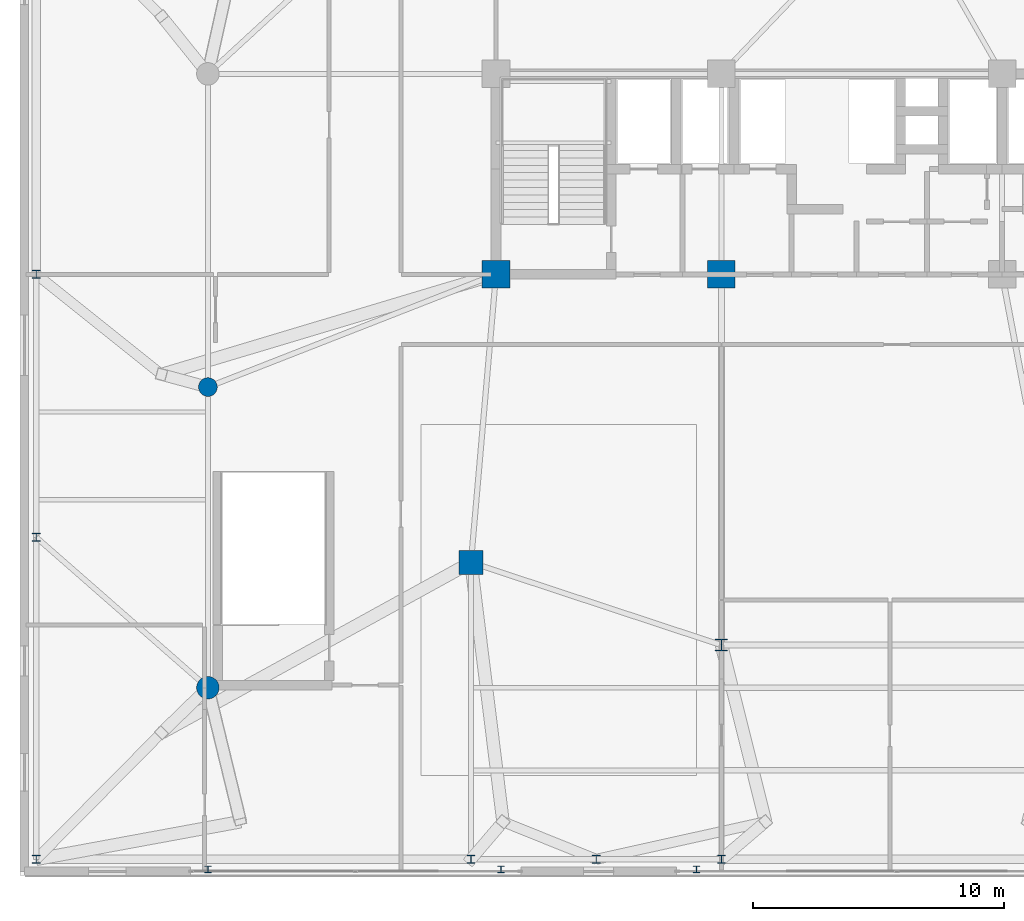
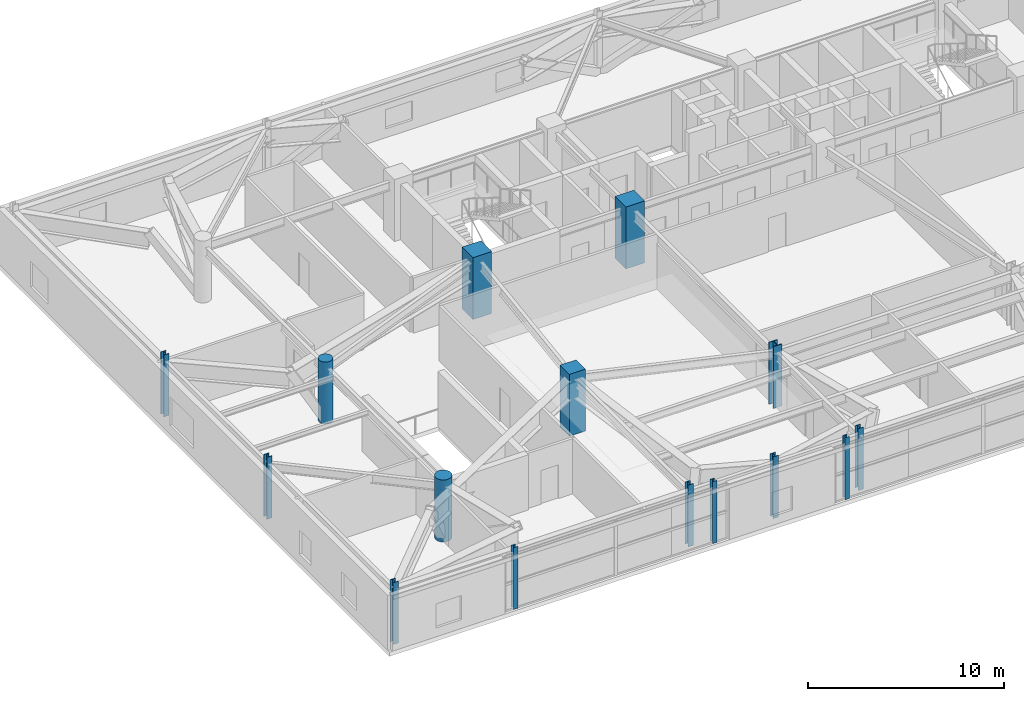
# One storey, part 1 of 27: 15 columns.
"""IFC4 building model written with IfcOpenShell, lengths in metres."""

import ifcopenshell
import ifcopenshell.guid

model = None  # the IFC model being written
_history = None  # IfcOwnerHistory: only IFC2X3 demands one
_inside = {}  # id of a spatial element -> (the spatial element, [elements in it])
_under = {}  # id of a project, library or spatial element -> (it, [spatial elements below it])
_declared = {}  # id of a project -> (the project, [libraries it declares])
_typed = {}  # id of a type object -> (the type object, [elements of that type])
_made_of = {}  # id of a material, layer set ... -> (it, [elements and type objects made of it])


def new_model(schema):
    """Start an empty IFC model of exactly this schema.

    Asked for "IFC4X3", IfcOpenShell would pick the latest addendum, in which some entities
    have other attributes; the version numbers below select the first issue.
    IFC2X3 requires an IfcOwnerHistory on every rooted entity: one is made here for all.
    """
    global model, _history
    if schema == "IFC4X3":
        model = ifcopenshell.file(schema_version=(4, 3, 0, 0))
    else:
        model = ifcopenshell.file(schema=schema)
    _inside.clear()
    _under.clear()
    _declared.clear()
    _typed.clear()
    _made_of.clear()
    _history = None
    if model.schema == "IFC2X3":
        org = make("IfcOrganization", Name="unknown")
        user = make(
            "IfcPersonAndOrganization",
            ThePerson=make("IfcPerson", FamilyName="unknown"),
            TheOrganization=org,
        )
        app = make(
            "IfcApplication",
            ApplicationDeveloper=org,
            Version="unknown",
            ApplicationFullName="unknown",
            ApplicationIdentifier="unknown",
        )
        _history = make(
            "IfcOwnerHistory",
            OwningUser=user,
            OwningApplication=app,
            ChangeAction="ADDED",
            CreationDate=0,
        )
    return model


def make(cls, **values):
    """One entity of the class cls with the attributes given. An attribute that is None is left unset."""
    return model.create_entity(
        cls, **{name: value for name, value in values.items() if value is not None}
    )


def rooted(cls, **values):
    """An entity with a GlobalId (a new one), such as an element, a storey or a relation."""
    return make(cls, GlobalId=ifcopenshell.guid.new(), OwnerHistory=_history, **values)


def si_unit(unit_type, name, prefix=None):
    """IfcSIUnit, for example si_unit("LENGTHUNIT", "METRE", prefix="MILLI")."""
    return make("IfcSIUnit", UnitType=unit_type, Prefix=prefix, Name=name)


def assignment(units):
    """IfcUnitAssignment: the units of a project."""
    return None if units is None else make("IfcUnitAssignment", Units=units)


def point(xyz):
    """IfcCartesianPoint."""
    return None if xyz is None else make("IfcCartesianPoint", Coordinates=xyz)


def direction(xyz):
    """IfcDirection."""
    return None if xyz is None else make("IfcDirection", DirectionRatios=xyz)


def frame(location, z_axis=None, x_axis=None):
    """IfcAxis2Placement3D, a coordinate frame: its origin and axes. An axis left out is left unset."""
    return make(
        "IfcAxis2Placement3D",
        Location=point(location),
        Axis=direction(z_axis),
        RefDirection=direction(x_axis),
    )


def frame_2d(location, x_axis=None):
    """IfcAxis2Placement2D, a coordinate frame in the plane: its origin and x axis."""
    return make(
        "IfcAxis2Placement2D", Location=point(location), RefDirection=direction(x_axis)
    )


def origin():
    """The frame at (0, 0, 0) with its axes left unset."""
    return frame((0.0, 0.0, 0.0))


def origin_2d():
    """The frame at (0, 0) in the plane with its x axis left unset."""
    return frame_2d((0.0, 0.0))


def place(relative_to, where):
    """IfcLocalPlacement: puts the frame where relative to a parent placement (None: the world)."""
    return make(
        "IfcLocalPlacement", PlacementRelTo=relative_to, RelativePlacement=where
    )


def context(
    kind, dimensions, precision=None, world=None, true_north=None, identifier=None
):
    """IfcGeometricRepresentationContext, for example the 3D "Model" context."""
    return make(
        "IfcGeometricRepresentationContext",
        ContextIdentifier=identifier,
        ContextType=kind,
        CoordinateSpaceDimension=dimensions,
        Precision=precision,
        WorldCoordinateSystem=world,
        TrueNorth=true_north,
    )


def subcontext(parent, identifier, kind, view, scale=None):
    """IfcGeometricRepresentationSubContext, for example "Body" below "Model"."""
    return make(
        "IfcGeometricRepresentationSubContext",
        ContextIdentifier=identifier,
        ContextType=kind,
        ParentContext=parent,
        TargetScale=scale,
        TargetView=view,
    )


def project(units=None, contexts=None):
    """IfcProject with its units and contexts."""
    return rooted(
        "IfcProject",
        Name="project",
        RepresentationContexts=contexts,
        UnitsInContext=assignment(units),
    )


def spatial(cls, under=None, at=None, **own):
    """A site, building, storey or space (cls), placed at a placement, below another one or the project."""
    s = rooted(cls, ObjectPlacement=at, **own)
    if under is not None:
        _under.setdefault(under.id(), (under, []))[1].append(s)
    return s


def profile(cls, at=None, kind="AREA", **sizes):
    """A parametric profile (cls). Its sizes go by their IFC names, for example OverallWidth=200.0."""
    return make(cls, ProfileType=kind, Position=at, **sizes)


def rectangle(**sizes):
    """IfcRectangleProfileDef."""
    return profile("IfcRectangleProfileDef", **sizes)


def circle(**sizes):
    """IfcCircleProfileDef."""
    return profile("IfcCircleProfileDef", **sizes)


def i_section(**sizes):
    """IfcIShapeProfileDef."""
    return profile("IfcIShapeProfileDef", **sizes)


def extrude(swept, where, along, depth):
    """IfcExtrudedAreaSolid: the profile swept, set in the frame where, extruded along a direction by depth."""
    return make(
        "IfcExtrudedAreaSolid",
        SweptArea=swept,
        Position=where,
        ExtrudedDirection=direction(along),
        Depth=depth,
    )


def shape(context_of_items, identifier, shape_type, items):
    """IfcShapeRepresentation: the items that make up one representation, for example the "Body"."""
    return make(
        "IfcShapeRepresentation",
        ContextOfItems=context_of_items,
        RepresentationIdentifier=identifier,
        RepresentationType=shape_type,
        Items=items,
    )


def source(mapping_origin, context_of_items, identifier, shape_type, items):
    """IfcRepresentationMap: a shape defined once, which mapped items show again and again."""
    return make(
        "IfcRepresentationMap",
        MappingOrigin=mapping_origin,
        MappedRepresentation=shape(context_of_items, identifier, shape_type, items),
    )


def transform(
    local_origin,
    x_axis=None,
    y_axis=None,
    z_axis=None,
    scale=None,
    scale2=None,
    scale3=None,
    uniform=True,
):
    """IfcCartesianTransformationOperator3D, or its non-uniform kind. x_axis, y_axis, z_axis: its Axis1, 2, 3."""
    if uniform:
        return make(
            "IfcCartesianTransformationOperator3D",
            Axis1=direction(x_axis),
            Axis2=direction(y_axis),
            LocalOrigin=point(local_origin),
            Scale=scale,
            Axis3=direction(z_axis),
        )
    return make(
        "IfcCartesianTransformationOperator3DnonUniform",
        Axis1=direction(x_axis),
        Axis2=direction(y_axis),
        LocalOrigin=point(local_origin),
        Scale=scale,
        Axis3=direction(z_axis),
        Scale2=scale2,
        Scale3=scale3,
    )


def mapped(mapping_source, mapping_target):
    """IfcMappedItem: shows the shape of a source again, moved by a transform."""
    return make(
        "IfcMappedItem", MappingSource=mapping_source, MappingTarget=mapping_target
    )


def material(Name=None, Category=None):
    """IfcMaterial."""
    return make("IfcMaterial", Name=Name, Category=Category)


def material_profile(
    of_material, cross_section, Name=None, Category=None, Priority=None
):
    """IfcMaterialProfile: a cross section and its material."""
    return make(
        "IfcMaterialProfile",
        Name=Name,
        Material=of_material,
        Profile=cross_section,
        Priority=Priority,
        Category=Category,
    )


def profile_set(profiles, Name=None, composite=None):
    """IfcMaterialProfileSet."""
    return make(
        "IfcMaterialProfileSet",
        Name=Name,
        MaterialProfiles=profiles,
        CompositeProfile=composite,
    )


def made_of(thing, what):
    """Note that an element or type object is made of a material, layer set ...; save() writes the relation."""
    if what is not None:
        _made_of.setdefault(what.id(), (what, []))[1].append(thing)
    return thing


def type_object(cls, material=None, **own):
    """A type object (cls), such as IfcWallType, which elements share."""
    return made_of(rooted(cls, **own), material)


def element(
    cls,
    number,
    at=None,
    inside=None,
    cuts=None,
    type_object=None,
    material=None,
    context=None,
    identifier="Body",
    shape_type=None,
    held_by="IfcProductDefinitionShape",
    body=None,
    shapes=None,
    **own,
):
    """One element of the class cls, such as IfcWall. Its Tag is "e" and its number.

    at: its placement. inside: the storey or other place that contains it. cuts: it is an
    opening in that element (IfcRelVoidsElement). A single representation is given by context,
    identifier, shape_type and body (its items); several are given by shapes. held_by: the class
    of the entity that holds the representations. save() writes the other relations.
    """
    e = rooted(cls, Tag="e%d" % number, ObjectPlacement=at, **own)
    if body is not None:
        shapes = [shape(context, identifier, shape_type, body)]
    if shapes is not None:
        e.Representation = make(held_by, Representations=shapes)
    if inside is not None:
        _inside.setdefault(inside.id(), (inside, []))[1].append(e)
    if cuts is not None:
        rooted(
            "IfcRelVoidsElement", RelatingBuildingElement=cuts, RelatedOpeningElement=e
        )
    if type_object is not None:
        _typed.setdefault(type_object.id(), (type_object, []))[1].append(e)
    return made_of(e, material)


def aggregate(whole, parts):
    """IfcRelAggregates: a whole, such as a stair, and the parts it consists of."""
    return rooted("IfcRelAggregates", RelatingObject=whole, RelatedObjects=parts)


def save(model, path):
    """Write the relations noted so far, then the file.

    IfcRelAggregates (storeys below a building ...), IfcRelContainedInSpatialStructure (elements
    in a storey), IfcRelDefinesByType, IfcRelAssociatesMaterial and IfcRelDeclares: one each for
    every whole, place, type object, material and project.
    """
    for whole, parts in _under.values():
        aggregate(whole, parts)
    for where, things in _inside.values():
        rooted(
            "IfcRelContainedInSpatialStructure",
            RelatedElements=things,
            RelatingStructure=where,
        )
    for kind, things in _typed.values():
        rooted("IfcRelDefinesByType", RelatedObjects=things, RelatingType=kind)
    for what, things in _made_of.values():
        rooted("IfcRelAssociatesMaterial", RelatedObjects=things, RelatingMaterial=what)
    for by, libraries in _declared.values():
        rooted("IfcRelDeclares", RelatingContext=by, RelatedDefinitions=libraries)
    model.write(path)


model = new_model("IFC4")

# Units and contexts
model_context = context("Model", 3, precision=1e-05, world=origin(), true_north=direction((0.0, 1.0)))
body_context = subcontext(model_context, "Body", "Model", "MODEL_VIEW")
ifc_project = project(units=[si_unit("LENGTHUNIT", "METRE"), si_unit("AREAUNIT", "SQUARE_METRE"), si_unit("VOLUMEUNIT", "CUBIC_METRE"), si_unit("PLANEANGLEUNIT", "RADIAN"), si_unit("MASSUNIT", "GRAM", prefix="KILO")], contexts=[model_context])

# Site, building, storey
site_placement = place(None, origin())
site = spatial("IfcSite", under=ifc_project, at=site_placement, CompositionType="ELEMENT")
building_placement = place(site_placement, origin())
building = spatial("IfcBuilding", under=site, at=building_placement, Name="Taldren Reach Tower", CompositionType="ELEMENT")
storey_placement = place(building_placement, frame((0.0, 0.0, 12.949951171875)))
storey = spatial("IfcBuildingStorey", under=building, at=storey_placement, Name="L03", CompositionType="ELEMENT", Elevation=12.949951171875)

# Columns
ifc_material_1 = material(Name="Concrete S100 (100 MPa)", Category="concrete")
ifc_material_profile_1 = material_profile(ifc_material_1, rectangle(XDim=1.10009765625, YDim=1.10009765625, at=origin_2d()), Name="RC-1100x1100")
ifc_profile_set_1 = profile_set([ifc_material_profile_1], Name="Concrete S100 (100 MPa)")
column_type_1 = type_object("IfcColumnType", Name="COL-RC1100", PredefinedType="COLUMN", material=ifc_profile_set_1)
shared_shape_1 = source(origin(), body_context, "Body", "SweptSolid", [
    extrude(rectangle(XDim=1.10009765625, YDim=1.10009765625, at=origin_2d()), origin(), (0.0, 0.0, 1.0), 3.85009765625),
])
for number, where, z_axis, x_axis, name in (
    (1, (19.0, 24.0, 0.0), (0.0, 0.0, 1.0), (1.0, 0.0, 0.0), "Mega column MC-C1 L03"),
    (2, (28.0, 24.0, 0.0), (0.0, 0.0, 1.0), (1.0, 0.0, 0.0), "Mega column MC-C2 L03"),
):
    element("IfcColumn", number, at=place(storey_placement, frame(where, z_axis=z_axis, x_axis=x_axis)), inside=storey, type_object=column_type_1, Name=name, PredefinedType="COLUMN", context=body_context, shape_type="MappedRepresentation", body=[
        mapped(shared_shape_1, transform((0.0, 0.0, 0.0), scale=1.0)),
    ])
ifc_material_2 = material(Name="Steel Gr 350 (350PLUS)", Category="steel")
ifc_material_profile_2 = material_profile(ifc_material_2, i_section(OverallWidth=0.5, OverallDepth=0.47998046875, WebThickness=0.028076171875, FlangeThickness=0.0439453125, at=origin_2d()), Name="500WC440")
ifc_profile_set_2 = profile_set([ifc_material_profile_2], Name="Steel Gr 350 (350PLUS)")
column_type_2 = type_object("IfcColumnType", Name="COL-WC500A", PredefinedType="COLUMN", material=ifc_profile_set_2)
shared_shape_2 = source(origin(), body_context, "Body", "SweptSolid", [
    extrude(i_section(OverallWidth=0.5, OverallDepth=0.47998046875, WebThickness=0.028076171875, FlangeThickness=0.0439453125, at=origin_2d()), origin(), (0.0, 0.0, 1.0), 3.85009765625),
])
column_1_placement = place(storey_placement, frame((28.0, 9.199951171875, 0.0), z_axis=(0.0, 0.0, 1.0), x_axis=(1.0, 0.0, 0.0)))
element("IfcColumn", 3, at=column_1_placement, inside=storey, type_object=column_type_2, Name="Mega column MC-PJW L03", PredefinedType="COLUMN", context=body_context, shape_type="MappedRepresentation", body=[
    mapped(shared_shape_2, transform((0.0, 0.0, 0.0), scale=1.0)),
])
ifc_material_3 = material(Name="Concrete S80 (80 MPa)", Category="concrete")
ifc_material_profile_3 = material_profile(ifc_material_3, rectangle(XDim=0.949951171875, YDim=0.949951171875, at=origin_2d()), Name="RC-950x950")
ifc_profile_set_3 = profile_set([ifc_material_profile_3], Name="Concrete S80 (80 MPa)")
column_type_3 = type_object("IfcColumnType", Name="COL-RC950", PredefinedType="COLUMN", material=ifc_profile_set_3)
shared_shape_3 = source(origin(), body_context, "Body", "SweptSolid", [
    extrude(rectangle(XDim=0.949951171875, YDim=0.949951171875, at=origin_2d()), origin(), (0.0, 0.0, 1.0), 3.85009765625),
])
column_2_placement = place(storey_placement, frame((18.0, 12.5, 0.0), z_axis=(0.0, 0.0, 1.0), x_axis=(1.0, 0.0, 0.0)))
element("IfcColumn", 4, at=column_2_placement, inside=storey, type_object=column_type_3, Name="Mega column MC-SW L03", PredefinedType="COLUMN", context=body_context, shape_type="MappedRepresentation", body=[
    mapped(shared_shape_3, transform((0.0, 0.0, 0.0), scale=1.0)),
])
ifc_material_profile_4 = material_profile(ifc_material_3, circle(Radius=0.449951171875, at=origin_2d()), Name="RC-900D")
ifc_profile_set_4 = profile_set([ifc_material_profile_4], Name="Concrete S80 (80 MPa)")
column_type_4 = type_object("IfcColumnType", Name="COL-RCD900", PredefinedType="COLUMN", material=ifc_profile_set_4)
shared_shape_4 = source(origin(), body_context, "Body", "SweptSolid", [
    extrude(circle(Radius=0.449951171875, at=origin_2d()), origin(), (0.0, 0.0, 1.0), 3.85009765625),
])
column_3_placement = place(storey_placement, frame((7.5, 7.5, 0.0), z_axis=(0.0, 0.0, 1.0), x_axis=(1.0, 0.0, 0.0)))
element("IfcColumn", 5, at=column_3_placement, inside=storey, type_object=column_type_4, Name="Podium structural column PG-1 L03", PredefinedType="COLUMN", context=body_context, shape_type="MappedRepresentation", body=[
    mapped(shared_shape_4, transform((0.0, 0.0, 0.0), scale=1.0)),
])
ifc_material_4 = material(Name="Concrete S65 (65 MPa)", Category="concrete")
ifc_material_profile_5 = material_profile(ifc_material_4, circle(Radius=0.375, at=origin_2d()), Name="RC-750D")
ifc_profile_set_5 = profile_set([ifc_material_profile_5], Name="Concrete S65 (65 MPa)")
column_type_5 = type_object("IfcColumnType", Name="COL-RCD750", PredefinedType="COLUMN", material=ifc_profile_set_5)
shared_shape_5 = source(origin(), body_context, "Body", "SweptSolid", [
    extrude(circle(Radius=0.375, at=origin_2d()), origin(), (0.0, 0.0, 1.0), 3.85009765625),
])
column_4_placement = place(storey_placement, frame((7.5, 19.5, 0.0), z_axis=(0.0, 0.0, 1.0), x_axis=(1.0, 0.0, 0.0)))
element("IfcColumn", 6, at=column_4_placement, inside=storey, type_object=column_type_5, Name="Podium structural column PG-2 L03", PredefinedType="COLUMN", context=body_context, shape_type="MappedRepresentation", body=[
    mapped(shared_shape_5, transform((0.0, 0.0, 0.0), scale=1.0)),
])
ifc_material_profile_6 = material_profile(ifc_material_2, i_section(OverallWidth=0.31103515625, OverallDepth=0.326904296875, WebThickness=0.015625, FlangeThickness=0.02490234375, at=origin_2d()), Name="310UC158")
ifc_profile_set_6 = profile_set([ifc_material_profile_6], Name="Steel Gr 350 (350PLUS)")
column_type_6 = type_object("IfcColumnType", Name="COL-UC310A", PredefinedType="COLUMN", material=ifc_profile_set_6)
shared_shape_6 = source(origin(), body_context, "Body", "SweptSolid", [
    extrude(i_section(OverallWidth=0.31103515625, OverallDepth=0.326904296875, WebThickness=0.015625, FlangeThickness=0.02490234375, at=origin_2d()), origin(), (0.0, 0.0, 1.0), 3.85009765625),
])
for number, where, z_axis, x_axis, name in (
    (7, (28.0, 0.64990234375, 0.0), (0.0, 0.0, 1.0), (1.0, 0.0, 0.0), "Podium structural column PG-7 L03"),
    (8, (0.64990234375, 0.64990234375, 0.0), (0.0, 0.0, 1.0), (1.0, 0.0, 0.0), "Podium structural column PP-W1 L03"),
    (9, (0.64990234375, 13.5, 0.0), (0.0, 0.0, 1.0), (1.0, 0.0, 0.0), "Podium structural column PP-W2 L03"),
    (10, (0.64990234375, 24.0, 0.0), (0.0, 0.0, 1.0), (1.0, 0.0, 0.0), "Podium structural column PP-W3 L03"),
    (11, (18.0, 0.64990234375, 0.0), (0.0, 0.0, 1.0), (1.0, 0.0, 0.0), "Podium structural column PP-S1 L03"),
    (12, (23.0, 0.64990234375, 0.0), (0.0, 0.0, 1.0), (1.0, 0.0, 0.0), "Podium structural column PP-S2 L03"),
):
    element("IfcColumn", number, at=place(storey_placement, frame(where, z_axis=z_axis, x_axis=x_axis)), inside=storey, type_object=column_type_6, Name=name, PredefinedType="COLUMN", context=body_context, shape_type="MappedRepresentation", body=[
        mapped(shared_shape_6, transform((0.0, 0.0, 0.0), scale=1.0)),
    ])
ifc_material_profile_7 = material_profile(ifc_material_2, i_section(OverallWidth=0.256103515625, OverallDepth=0.260009765625, WebThickness=0.010498046875, FlangeThickness=0.017333984375, at=origin_2d()), Name="250UC89.5")
ifc_profile_set_7 = profile_set([ifc_material_profile_7], Name="Steel Gr 350 (350PLUS)")
column_type_7 = type_object("IfcColumnType", Name="PIL-UC250", PredefinedType="PILASTER", material=ifc_profile_set_7)
shared_shape_7 = source(origin(), body_context, "Body", "SweptSolid", [
    extrude(i_section(OverallWidth=0.256103515625, OverallDepth=0.260009765625, WebThickness=0.010498046875, FlangeThickness=0.017333984375, at=origin_2d()), origin(), (0.0, 0.0, 1.0), 3.85009765625),
])
for number, where, z_axis, x_axis, name in (
    (13, (7.5, 0.25, 0.0), (0.0, 0.0, 1.0), (1.0, 0.0, 0.0), "Waterfront colonnade pilaster S-7.5 L03"),
    (14, (19.199951171875, 0.25, 0.0), (0.0, 0.0, 1.0), (1.0, 0.0, 0.0), "Waterfront colonnade pilaster S-19.2 L03"),
    (15, (27.0, 0.25, 0.0), (0.0, 0.0, 1.0), (1.0, 0.0, 0.0), "Waterfront colonnade pilaster S-27.0 L03"),
):
    element("IfcColumn", number, at=place(storey_placement, frame(where, z_axis=z_axis, x_axis=x_axis)), inside=storey, type_object=column_type_7, Name=name, PredefinedType="PILASTER", context=body_context, shape_type="MappedRepresentation", body=[
        mapped(shared_shape_7, transform((0.0, 0.0, 0.0), scale=1.0)),
    ])

save(model, "model.ifc")
